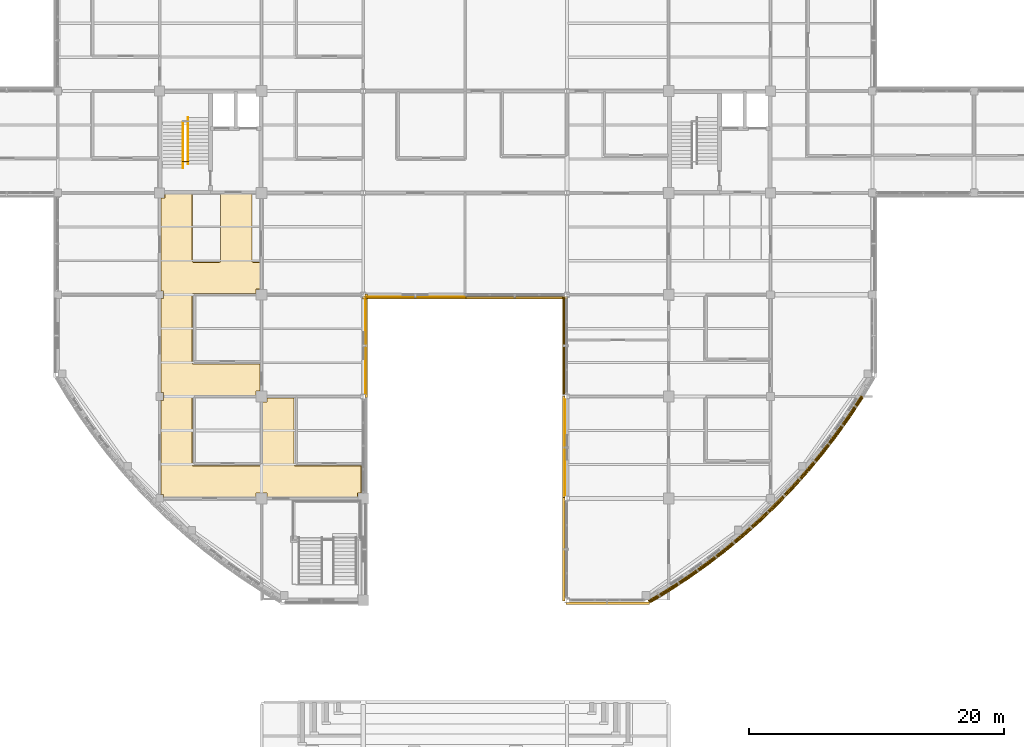
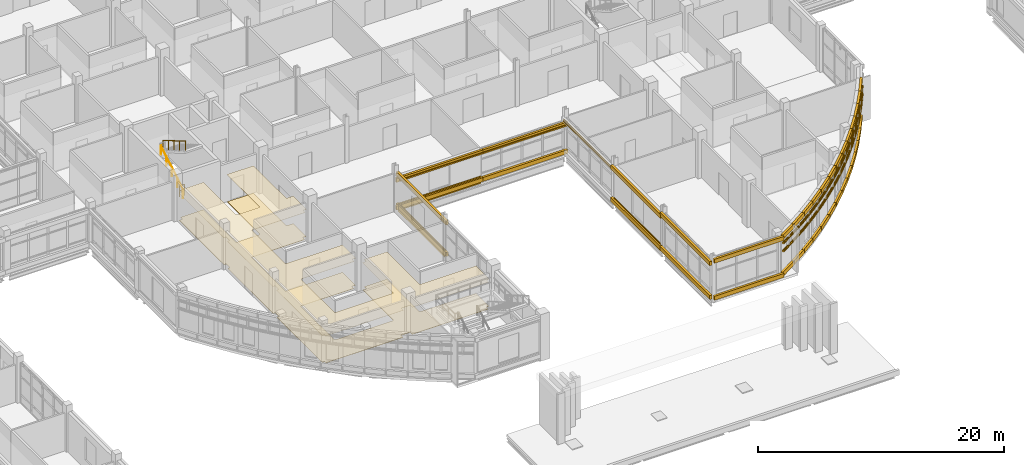
# One storey, part 112 of 121: 43 coverings, 30 shading devices, 3 railings.
"""IFC4 building model written with IfcOpenShell, lengths in metres."""

from ifc_helpers import new_model, si_unit, derived_unit, direction, frame, origin, origin_2d, place, context, subcontext, project, spatial, polyline, rectangle, circle, outline, extrude, material, layer, layer_set, material_profile, profile_set, type_object, element, save


model = new_model("IFC4")

# Units and contexts
model_context = context("Model", 3, precision=1e-05, world=origin(), true_north=direction((0.0, 1.0)))
body_context = subcontext(model_context, "Body", "Model", "MODEL_VIEW")
ifc_project = project(units=[si_unit("LENGTHUNIT", "METRE"), si_unit("AREAUNIT", "SQUARE_METRE"), si_unit("VOLUMEUNIT", "CUBIC_METRE"), si_unit("PLANEANGLEUNIT", "RADIAN"), si_unit("MASSUNIT", "GRAM", prefix="KILO"), derived_unit("THERMALTRANSMITTANCEUNIT", [(si_unit("MASSUNIT", "GRAM", prefix="KILO"), 1), (si_unit("TIMEUNIT", "SECOND"), -3), (si_unit("THERMODYNAMICTEMPERATUREUNIT", "KELVIN"), -1)])], contexts=[model_context])

# Site, building, storey
site_placement = place(None, origin())
site = spatial("IfcSite", under=ifc_project, at=site_placement, CompositionType="ELEMENT")
building_placement = place(site_placement, origin())
building = spatial("IfcBuilding", under=site, at=building_placement, Name="Veyamyaing Civic Hall", CompositionType="ELEMENT")
storey_placement = place(building_placement, frame((0.0, 0.0, 5.280029296875)))
storey = spatial("IfcBuildingStorey", under=building, at=storey_placement, Name="L01", CompositionType="ELEMENT", Elevation=5.280029296875)

# Coverings
ifc_material_1 = material(Name="Buff sandstone ashlar cladding", Category="masonry")
ifc_layer_1 = layer(ifc_material_1, 0.050048828125, Name="Buff sandstone ashlar cladding")
ifc_layer_set_1 = layer_set([ifc_layer_1], Name="Buff sandstone ashlar cladding")
covering_type_1 = type_object("IfcCoveringType", Name="CL-01", PredefinedType="CLADDING", material=ifc_layer_set_1)
covering_1_placement = place(storey_placement, frame((80.173583984375, 36.0, 0.044921875), z_axis=(0.0, 0.0, 1.0), x_axis=(0.0, 1.0, 0.0)))
element("IfcCovering", 1, at=covering_1_placement, inside=storey, type_object=covering_type_1, Name="Facade spandrel cladding CL-01 L01 E 10.5", PredefinedType="CLADDING", context=body_context, shape_type="SweptSolid", body=[
    extrude(rectangle(XDim=7.577880859375, YDim=0.050048828125, at=origin_2d()), origin(), (0.0, 0.0, 1.0), 0.75),
])
covering_2_placement = place(storey_placement, frame((84.0859375, 39.826416015625, 0.044921875), z_axis=(0.0, 0.0, 1.0), x_axis=(1.0, 0.0, 0.0)))
element("IfcCovering", 2, at=covering_2_placement, inside=storey, type_object=covering_type_1, Name="Facade spandrel cladding CL-01 L01 S 11.6", PredefinedType="CLADDING", context=body_context, shape_type="SweptSolid", body=[
    extrude(rectangle(XDim=7.748046875, YDim=0.050048828125, at=origin_2d()), origin(), (0.0, 0.0, 1.0), 0.75),
])
covering_3_placement = place(storey_placement, frame((95.826416015625, 28.0, 0.044921875), z_axis=(0.0, 0.0, 1.0), x_axis=(0.0, 1.0, 0.0)))
element("IfcCovering", 3, at=covering_3_placement, inside=storey, type_object=covering_type_1, Name="Facade spandrel cladding CL-01 L01 W 13.4", PredefinedType="CLADDING", context=body_context, shape_type="SweptSolid", body=[
    extrude(rectangle(XDim=7.577880859375, YDim=0.050048828125, at=origin_2d()), origin(), (0.0, 0.0, 1.0), 0.75),
])
ifc_material_2 = material(Name="White powder-coated aluminium 6063-T6", Category="aluminium")
ifc_layer_2 = layer(ifc_material_2, 0.2099609375, Name="White powder-coated aluminium 6063-T6")
ifc_layer_set_2 = layer_set([ifc_layer_2], Name="White powder-coated aluminium 6063-T6")
covering_type_2 = type_object("IfcCoveringType", Name="CL-03", PredefinedType="CLADDING", material=ifc_layer_set_2)
for number, where, z_axis, x_axis, name in (
    (4, (103.24072265625, 16.394775390625, 0.27001953125), (0.0, 0.0, 1.0), (0.856524411006, 0.516106513571, 0.0), "Continuous white corner ribbon CL-03 L01 SE.1.1"),
    (5, (103.24072265625, 16.394775390625, 3.945068359375), (0.0, 0.0, 1.0), (0.856524411006, 0.516106513571, 0.0), "Continuous white corner ribbon CL-03 L01 SE.1.2"),
    (6, (104.76318359375, 17.351318359375, 0.27001953125), (0.0, 0.0, 1.0), (0.836627843942, 0.547771714075, 0.0), "Continuous white corner ribbon CL-03 L01 SE.2.1"),
    (7, (104.76318359375, 17.351318359375, 3.945068359375), (0.0, 0.0, 1.0), (0.836627843942, 0.547771714075, 0.0), "Continuous white corner ribbon CL-03 L01 SE.2.2"),
    (8, (106.248291015625, 18.364013671875, 0.27001953125), (0.0, 0.0, 1.0), (0.815560964241, 0.578671161892, 0.0), "Continuous white corner ribbon CL-03 L01 SE.3.1"),
    (9, (106.248291015625, 18.364013671875, 3.945068359375), (0.0, 0.0, 1.0), (0.815560964241, 0.578671161892, 0.0), "Continuous white corner ribbon CL-03 L01 SE.3.2"),
    (10, (107.69482421875, 19.431396484375, 0.27001953125), (0.0, 0.0, 1.0), (0.793353292936, 0.608761490723, 0.0), "Continuous white corner ribbon CL-03 L01 SE.4.1"),
    (11, (107.69482421875, 19.431396484375, 3.945068359375), (0.0, 0.0, 1.0), (0.793353292936, 0.608761490723, 0.0), "Continuous white corner ribbon CL-03 L01 SE.4.2"),
    (12, (109.1005859375, 20.55224609375, 0.27001953125), (0.0, 0.0, 1.0), (0.770036026853, 0.638000405445, 0.0), "Continuous white corner ribbon CL-03 L01 SE.5.1"),
    (13, (109.1005859375, 20.55224609375, 3.945068359375), (0.0, 0.0, 1.0), (0.770036026853, 0.638000405445, 0.0), "Continuous white corner ribbon CL-03 L01 SE.5.2"),
    (14, (110.463134765625, 21.72509765625, 0.27001953125), (0.0, 0.0, 1.0), (0.745642208225, 0.666346529453, 0.0), "Continuous white corner ribbon CL-03 L01 SE.6.1"),
    (15, (110.463134765625, 21.72509765625, 3.945068359375), (0.0, 0.0, 1.0), (0.745642208225, 0.666346529453, 0.0), "Continuous white corner ribbon CL-03 L01 SE.6.2"),
    (16, (111.781005859375, 22.94775390625, 0.27001953125), (0.0, 0.0, 1.0), (0.720205321688, 0.693760978012, 0.0), "Continuous white corner ribbon CL-03 L01 SE.7.1"),
    (17, (111.781005859375, 22.94775390625, 3.945068359375), (0.0, 0.0, 1.0), (0.720205321688, 0.693760978012, 0.0), "Continuous white corner ribbon CL-03 L01 SE.7.2"),
    (18, (113.05224609375, 24.218994140625, 0.27001953125), (0.0, 0.0, 1.0), (0.693760978012, 0.720205321688, 0.0), "Continuous white corner ribbon CL-03 L01 SE.8.1"),
    (19, (113.05224609375, 24.218994140625, 3.945068359375), (0.0, 0.0, 1.0), (0.693760978012, 0.720205321688, 0.0), "Continuous white corner ribbon CL-03 L01 SE.8.2"),
    (20, (114.27490234375, 25.536865234375, 0.27001953125), (0.0, 0.0, 1.0), (0.666346529453, 0.745642208225, 0.0), "Continuous white corner ribbon CL-03 L01 SE.9.1"),
    (21, (114.27490234375, 25.536865234375, 3.945068359375), (0.0, 0.0, 1.0), (0.666346529453, 0.745642208225, 0.0), "Continuous white corner ribbon CL-03 L01 SE.9.2"),
    (22, (115.44775390625, 26.8994140625, 0.27001953125), (0.0, 0.0, 1.0), (0.638000405445, 0.770036026853, 0.0), "Continuous white corner ribbon CL-03 L01 SE.10.1"),
    (23, (115.44775390625, 26.8994140625, 3.945068359375), (0.0, 0.0, 1.0), (0.638000405445, 0.770036026853, 0.0), "Continuous white corner ribbon CL-03 L01 SE.10.2"),
    (24, (116.568603515625, 28.30517578125, 0.27001953125), (0.0, 0.0, 1.0), (0.608761490723, 0.793353292936, 0.0), "Continuous white corner ribbon CL-03 L01 SE.11.1"),
    (25, (116.568603515625, 28.30517578125, 3.945068359375), (0.0, 0.0, 1.0), (0.608761490723, 0.793353292936, 0.0), "Continuous white corner ribbon CL-03 L01 SE.11.2"),
    (26, (117.635986328125, 29.751708984375, 0.27001953125), (0.0, 0.0, 1.0), (0.578671161892, 0.815560964241, 0.0), "Continuous white corner ribbon CL-03 L01 SE.12.1"),
    (27, (117.635986328125, 29.751708984375, 3.945068359375), (0.0, 0.0, 1.0), (0.578671161892, 0.815560964241, 0.0), "Continuous white corner ribbon CL-03 L01 SE.12.2"),
    (28, (118.648681640625, 31.23681640625, 0.27001953125), (0.0, 0.0, 1.0), (0.547771714075, 0.836627843942, 0.0), "Continuous white corner ribbon CL-03 L01 SE.13.1"),
    (29, (118.648681640625, 31.23681640625, 3.945068359375), (0.0, 0.0, 1.0), (0.547771714075, 0.836627843942, 0.0), "Continuous white corner ribbon CL-03 L01 SE.13.2"),
):
    element("IfcCovering", number, at=place(storey_placement, frame(where, z_axis=z_axis, x_axis=x_axis)), inside=storey, type_object=covering_type_2, Name=name, PredefinedType="CLADDING", context=body_context, shape_type="SweptSolid", body=[
        extrude(rectangle(XDim=1.93505859375, YDim=0.2099609375, at=origin_2d()), origin(), (0.0, 0.0, 1.0), 0.419921875),
    ])
for number, where, z_axis, x_axis, name in (
    (30, (80.239990234375, 36.0, 3.407958984375), (0.0, 0.0, 1.0), (0.0, 1.0, 0.0), "Continuous white head fascia ribbon CL-03 L01 E 10.5"),
    (31, (80.239990234375, 36.0, 0.280029296875), (0.0, 0.0, 1.0), (0.0, 1.0, 0.0), "Continuous white sill fascia ribbon CL-03 L01 E 10.5"),
    (32, (84.0, 39.760009765625, 3.02392578125), (0.0, 0.0, 1.0), (1.0, 0.0, 0.0), "Continuous white head fascia ribbon CL-03 L01 S 11.6"),
    (33, (84.0, 39.760009765625, 0.280029296875), (0.0, 0.0, 1.0), (1.0, 0.0, 0.0), "Continuous white sill fascia ribbon CL-03 L01 S 11.6"),
    (34, (92.0, 39.760009765625, 3.02392578125), (0.0, 0.0, 1.0), (1.0, 0.0, 0.0), "Continuous white head fascia ribbon CL-03 L01 S 12.6"),
    (35, (92.0, 39.760009765625, 0.280029296875), (0.0, 0.0, 1.0), (1.0, 0.0, 0.0), "Continuous white sill fascia ribbon CL-03 L01 S 12.6"),
):
    element("IfcCovering", number, at=place(storey_placement, frame(where, z_axis=z_axis, x_axis=x_axis)), inside=storey, type_object=covering_type_2, Name=name, PredefinedType="CLADDING", context=body_context, shape_type="SweptSolid", body=[
        extrude(rectangle(XDim=8.1201171875, YDim=0.2099609375, at=origin_2d()), origin(), (0.0, 0.0, 1.0), 0.39990234375),
    ])
for number, where, z_axis, x_axis, name in (
    (36, (99.21533203125, 15.760009765625, 3.955078125), (0.0, 0.0, 1.0), (1.0, 0.0, 0.0), "Continuous white head fascia ribbon CL-03 L01 S 13.3"),
    (37, (99.21533203125, 15.760009765625, 0.280029296875), (0.0, 0.0, 1.0), (1.0, 0.0, 0.0), "Continuous white sill fascia ribbon CL-03 L01 S 13.3"),
):
    element("IfcCovering", number, at=place(storey_placement, frame(where, z_axis=z_axis, x_axis=x_axis)), inside=storey, type_object=covering_type_2, Name=name, PredefinedType="CLADDING", context=body_context, shape_type="SweptSolid", body=[
        extrude(rectangle(XDim=6.55078125, YDim=0.2099609375, at=origin_2d()), origin(), (0.0, 0.0, 1.0), 0.39990234375),
    ])
for number, where, z_axis, x_axis, name in (
    (38, (95.760009765625, 20.0, 3.64208984375), (0.0, 0.0, 1.0), (0.0, 1.0, 0.0), "Continuous white head fascia ribbon CL-03 L01 W 13.3"),
    (39, (95.760009765625, 20.0, 0.280029296875), (0.0, 0.0, 1.0), (0.0, 1.0, 0.0), "Continuous white sill fascia ribbon CL-03 L01 W 13.3"),
    (40, (95.760009765625, 28.0, 3.47802734375), (0.0, 0.0, 1.0), (0.0, 1.0, 0.0), "Continuous white head fascia ribbon CL-03 L01 W 13.4"),
    (41, (95.760009765625, 28.0, 0.280029296875), (0.0, 0.0, 1.0), (0.0, 1.0, 0.0), "Continuous white sill fascia ribbon CL-03 L01 W 13.4"),
):
    element("IfcCovering", number, at=place(storey_placement, frame(where, z_axis=z_axis, x_axis=x_axis)), inside=storey, type_object=covering_type_2, Name=name, PredefinedType="CLADDING", context=body_context, shape_type="SweptSolid", body=[
        extrude(rectangle(XDim=8.1201171875, YDim=0.2099609375, at=origin_2d()), origin(), (0.0, 0.0, 1.0), 0.39990234375),
    ])
ifc_material_3 = material(Name="Perforated acoustic gypsum ceiling board")
ifc_layer_3 = layer(ifc_material_3, 0.02490234375, Name="Perforated acoustic gypsum ceiling board")
ifc_layer_set_3 = layer_set([ifc_layer_3], Name="Perforated acoustic gypsum ceiling board")
covering_type_3 = type_object("IfcCoveringType", Name="CLG-01", PredefinedType="CEILING", material=ifc_layer_set_3)
covering_4_placement = place(storey_placement, frame((0.0, 0.0, 2.699951171875)))
element("IfcCovering", 42, at=covering_4_placement, inside=storey, type_object=covering_type_3, Name="Acoustic suspended ceiling CLG-01 L01-C04", PredefinedType="CEILING", context=body_context, shape_type="SweptSolid", body=[
    extrude(outline(polyline([(66.580810546875, 42.6220703125), (66.597412109375, 42.597412109375), (66.62158203125, 42.581298828125), (66.652587890625, 42.574951171875), (68.6982421875, 42.574951171875), (68.7216796875, 42.57861328125), (68.741455078125, 42.587890625), (68.7578125, 42.6025390625), (68.768798828125, 42.620849609375), (68.77490234375, 42.652587890625), (68.77490234375, 47.925048828125), (71.27490234375, 47.925048828125), (71.275390625, 42.643310546875), (71.28076171875, 42.6220703125), (71.29736328125, 42.597412109375), (71.322021484375, 42.580810546875), (71.34326171875, 42.575439453125), (71.925048828125, 42.574951171875), (71.925048828125, 40.409912109375), (71.590087890625, 40.409912109375), (71.590087890625, 40.074951171875), (66.652587890625, 40.074951171875), (66.62158203125, 40.06884765625), (66.597412109375, 40.052734375), (66.581298828125, 40.028564453125), (66.574951171875, 39.99755859375), (66.574951171875, 34.652587890625), (66.581298828125, 34.62158203125), (66.597412109375, 34.597412109375), (66.62158203125, 34.581298828125), (66.652587890625, 34.574951171875), (71.925048828125, 34.574951171875), (71.925048828125, 32.409912109375), (71.590087890625, 32.409912109375), (71.590087890625, 32.074951171875), (66.652587890625, 32.074951171875), (66.62158203125, 32.06884765625), (66.597412109375, 32.052734375), (66.581298828125, 32.028564453125), (66.574951171875, 31.99755859375), (66.574951171875, 26.65185546875), (66.57861328125, 26.62841796875), (66.588134765625, 26.60791015625), (66.5966796875, 26.597412109375), (66.615234375, 26.583740234375), (66.627685546875, 26.57861328125), (66.65185546875, 26.574951171875), (71.998291015625, 26.574951171875), (72.021728515625, 26.57861328125), (72.0419921875, 26.588134765625), (72.052490234375, 26.5966796875), (72.06640625, 26.615234375), (72.0712890625, 26.627685546875), (72.074951171875, 26.65185546875), (72.074951171875, 31.590087890625), (72.409912109375, 31.590087890625), (72.409912109375, 31.925048828125), (74.574951171875, 31.925048828125), (74.574951171875, 26.65185546875), (74.57861328125, 26.62841796875), (74.588134765625, 26.60791015625), (74.5966796875, 26.597412109375), (74.615234375, 26.583740234375), (74.627685546875, 26.57861328125), (74.65185546875, 26.574951171875), (79.844970703125, 26.574951171875), (79.844970703125, 24.409912109375), (79.590087890625, 24.409912109375), (79.590087890625, 24.074951171875), (72.409912109375, 24.074951171875), (72.409912109375, 24.409912109375), (71.590087890625, 24.409912109375), (71.590087890625, 24.074951171875), (64.284912109375, 24.074951171875), (64.284912109375, 24.284912109375), (64.074951171875, 24.284912109375), (64.074951171875, 31.715087890625), (64.284912109375, 31.715087890625), (64.284912109375, 32.284912109375), (64.074951171875, 32.284912109375), (64.074951171875, 39.715087890625), (64.284912109375, 39.715087890625), (64.284912109375, 40.284912109375), (64.074951171875, 40.284912109375), (64.074951171875, 47.614990234375), (64.385009765625, 47.614990234375), (64.385009765625, 47.925048828125), (66.574951171875, 47.925048828125), (66.575439453125, 42.643310546875), (66.580810546875, 42.6220703125)])), origin(), (0.0, 0.0, 1.0), 0.02490234375),
])
ifc_material_4 = material(Name="Polished Mandalay marble and terrazzo flooring", Category="masonry")
ifc_layer_4 = layer(ifc_material_4, 0.030029296875, Name="Polished Mandalay marble and terrazzo flooring")
ifc_layer_set_4 = layer_set([ifc_layer_4], Name="Polished Mandalay marble and terrazzo flooring")
covering_type_4 = type_object("IfcCoveringType", Name="FLR-01", PredefinedType="FLOORING", material=ifc_layer_set_4)
covering_5_placement = place(storey_placement, origin())
element("IfcCovering", 43, at=covering_5_placement, inside=storey, type_object=covering_type_4, Name="Stone and terrazzo flooring FLR-01 L01-C04", PredefinedType="FLOORING", context=body_context, shape_type="SweptSolid", body=[
    extrude(outline(polyline([(66.5576171875, 42.61181640625), (66.579345703125, 42.579345703125), (66.61181640625, 42.5576171875), (66.64990234375, 42.550048828125), (68.699951171875, 42.550048828125), (68.72900390625, 42.55419921875), (68.755615234375, 42.56689453125), (68.77734375, 42.586669921875), (68.79248046875, 42.61181640625), (68.800048828125, 42.64990234375), (68.800048828125, 47.89990234375), (71.25, 47.89990234375), (71.25048828125, 42.64013671875), (71.257568359375, 42.61181640625), (71.279296875, 42.579345703125), (71.311767578125, 42.5576171875), (71.340087890625, 42.550537109375), (71.89990234375, 42.550048828125), (71.89990234375, 40.43505859375), (71.56494140625, 40.43505859375), (71.56494140625, 40.10009765625), (66.64990234375, 40.10009765625), (66.61181640625, 40.09228515625), (66.579345703125, 40.07080078125), (66.5576171875, 40.038330078125), (66.550048828125, 40.0), (66.550048828125, 34.64990234375), (66.5576171875, 34.61181640625), (66.579345703125, 34.579345703125), (66.61181640625, 34.5576171875), (66.64990234375, 34.550048828125), (71.89990234375, 34.550048828125), (71.89990234375, 32.43505859375), (71.56494140625, 32.43505859375), (71.56494140625, 32.10009765625), (66.64990234375, 32.10009765625), (66.61181640625, 32.09228515625), (66.579345703125, 32.07080078125), (66.5576171875, 32.038330078125), (66.550048828125, 32.0), (66.550048828125, 26.64990234375), (66.55419921875, 26.62109375), (66.56689453125, 26.594482421875), (66.579345703125, 26.579345703125), (66.602783203125, 26.561767578125), (66.62109375, 26.55419921875), (66.64990234375, 26.550048828125), (72.0, 26.550048828125), (72.029052734375, 26.55419921875), (72.0556640625, 26.56689453125), (72.07080078125, 26.579345703125), (72.088134765625, 26.602783203125), (72.095703125, 26.62109375), (72.10009765625, 26.64990234375), (72.10009765625, 31.56494140625), (72.43505859375, 31.56494140625), (72.43505859375, 31.89990234375), (74.550048828125, 31.89990234375), (74.550048828125, 26.64990234375), (74.55419921875, 26.62109375), (74.56689453125, 26.594482421875), (74.579345703125, 26.579345703125), (74.602783203125, 26.561767578125), (74.62109375, 26.55419921875), (74.64990234375, 26.550048828125), (79.820068359375, 26.550048828125), (79.820068359375, 24.43505859375), (79.56494140625, 24.43505859375), (79.56494140625, 24.10009765625), (72.43505859375, 24.10009765625), (72.43505859375, 24.43505859375), (71.56494140625, 24.43505859375), (71.56494140625, 24.10009765625), (64.31005859375, 24.10009765625), (64.31005859375, 24.31005859375), (64.10009765625, 24.31005859375), (64.10009765625, 31.68994140625), (64.31005859375, 31.68994140625), (64.31005859375, 32.31005859375), (64.10009765625, 32.31005859375), (64.10009765625, 39.68994140625), (64.31005859375, 39.68994140625), (64.31005859375, 40.31005859375), (64.10009765625, 40.31005859375), (64.10009765625, 47.590087890625), (64.409912109375, 47.590087890625), (64.409912109375, 47.89990234375), (66.550048828125, 47.89990234375), (66.550537109375, 42.64013671875), (66.5576171875, 42.61181640625)])), origin(), (0.0, 0.0, 1.0), 0.030029296875),
])

# Railings
ifc_material_5 = material(Name="Steel S355J2", Category="steel")
railing_type_1 = type_object("IfcRailingType", Name="RL-01", PredefinedType="BALUSTRADE", material=ifc_material_5)
railing_1_placement = place(storey_placement, frame((65.800048828125, 50.47998046875, 0.0)))
element("IfcRailing", 44, at=railing_1_placement, inside=storey, type_object=railing_type_1, Name="Floor-landing slot guard RL-01 ST-05 L01", PredefinedType="BALUSTRADE", context=body_context, shape_type="SweptSolid", body=[
    extrude(circle(Radius=0.02392578125, at=origin_2d()), frame((0.0, 0.0, 1.076171875), z_axis=(1.0, 0.0, 0.0), x_axis=(0.0, 1.0, 0.0)), (0.0, 0.0, 1.0), 0.469970703125),
    extrude(circle(Radius=0.01416015625, at=origin_2d()), frame((0.0, 0.0, 0.572021484375), z_axis=(1.0, 0.0, 0.0), x_axis=(0.0, 1.0, 0.0)), (0.0, 0.0, 1.0), 0.469970703125),
    extrude(circle(Radius=0.02099609375, at=origin_2d()), origin(), (0.0, 0.0, 1.0), 1.052001953125),
    extrude(circle(Radius=0.02099609375, at=origin_2d()), frame((0.469970703125, 0.0, 0.0)), (0.0, 0.0, 1.0), 1.052001953125),
])
railing_type_2 = type_object("IfcRailingType", Name="RL-02", PredefinedType="HANDRAIL", material=ifc_material_5)
railing_2_placement = place(storey_placement, frame((65.840087890625, 49.949951171875, 0.1650390625)))
element("IfcRailing", 45, at=railing_2_placement, inside=storey, type_object=railing_type_2, Name="Stair pitch handrail RL-02 ST-05 L01.1", PredefinedType="HANDRAIL", context=body_context, shape_type="SweptSolid", body=[
    extrude(circle(Radius=0.02392578125, at=origin_2d()), frame((0.0, 0.0, 0.89599609375), z_axis=(0.0, 0.861544779993, 0.507681585313), x_axis=(-1.0, 0.0, 0.0)), (0.0, 0.0, 1.0), 4.22509765625),
    extrude(circle(Radius=0.02099609375, at=origin_2d()), origin(), (0.0, 0.0, 1.0), 0.871826171875),
    extrude(circle(Radius=0.02099609375, at=origin_2d()), frame((0.0, 0.91015625, 0.5361328125)), (0.0, 0.0, 1.0), 0.871826171875),
    extrude(circle(Radius=0.02099609375, at=origin_2d()), frame((0.0, 1.820068359375, 1.072509765625)), (0.0, 0.0, 1.0), 0.871826171875),
    extrude(circle(Radius=0.02099609375, at=origin_2d()), frame((0.0, 2.72998046875, 1.60888671875)), (0.0, 0.0, 1.0), 0.871826171875),
    extrude(circle(Radius=0.02099609375, at=origin_2d()), frame((0.0, 3.64013671875, 2.14501953125)), (0.0, 0.0, 1.0), 0.871826171875),
])
railing_3_placement = place(storey_placement, frame((66.219970703125, 53.909912109375, 2.474853515625)))
element("IfcRailing", 46, at=railing_3_placement, inside=storey, type_object=railing_type_2, Name="Stair pitch handrail RL-02 ST-05 L01.2", PredefinedType="HANDRAIL", context=body_context, shape_type="SweptSolid", body=[
    extrude(circle(Radius=0.02392578125, at=origin_2d()), frame((0.0, 0.0, 0.89599609375), z_axis=(0.0, -0.861529885852, 0.507706860091), x_axis=(1.0, 0.0, 0.0)), (0.0, 0.0, 1.0), 4.224853515625),
    extrude(circle(Radius=0.02099609375, at=origin_2d()), origin(), (0.0, 0.0, 1.0), 0.871826171875),
    extrude(circle(Radius=0.02099609375, at=origin_2d()), frame((0.0, -0.909912109375, 0.5361328125)), (0.0, 0.0, 1.0), 0.871826171875),
    extrude(circle(Radius=0.02099609375, at=origin_2d()), frame((0.0, -1.81982421875, 1.072509765625)), (0.0, 0.0, 1.0), 0.871826171875),
    extrude(circle(Radius=0.02099609375, at=origin_2d()), frame((0.0, -2.72998046875, 1.60888671875)), (0.0, 0.0, 1.0), 0.871826171875),
    extrude(circle(Radius=0.02099609375, at=origin_2d()), frame((0.0, -3.639892578125, 2.14501953125)), (0.0, 0.0, 1.0), 0.871826171875),
])

# Shading devices
ifc_material_profile = material_profile(ifc_material_2, circle(Radius=0.110107421875, at=origin_2d()), Name="SHADE-TUBE-220")
ifc_profile_set = profile_set([ifc_material_profile], Name="White powder-coated aluminium 6063-T6")
shading_device_type = type_object("IfcShadingDeviceType", Name="SH-01", PredefinedType="USERDEFINED", material=ifc_profile_set)
for number, where, z_axis, x_axis, name in (
    (47, (102.513427734375, 15.863037109375, 2.75), (0.856543302071, 0.51607516088, 0.0), (-0.51607516088, 0.856543302071, 0.0), "White corner sunshade ribbon SH-01 L01 SE.1.1"),
    (48, (102.513427734375, 15.863037109375, 3.550048828125), (0.856543302071, 0.51607516088, 0.0), (-0.51607516088, 0.856543302071, 0.0), "White corner sunshade ribbon SH-01 L01 SE.1.2"),
):
    element("IfcShadingDevice", number, at=place(storey_placement, frame(where, z_axis=z_axis, x_axis=x_axis)), inside=storey, type_object=shading_device_type, Name=name, ObjectType="SUNSHADE", PredefinedType="USERDEFINED", context=body_context, shape_type="SweptSolid", body=[
        extrude(circle(Radius=0.110107421875, at=origin_2d()), origin(), (0.0, 0.0, 1.0), 1.794921875),
    ])
for number, where, z_axis, x_axis, name in (
    (49, (104.055908203125, 16.79248046875, 2.75), (0.836624464161, 0.547776876079, 0.0), (-0.547776876079, 0.836624464161, 0.0), "White corner sunshade ribbon SH-01 L01 SE.2.1"),
    (50, (104.055908203125, 16.79248046875, 3.550048828125), (0.836624464161, 0.547776876079, 0.0), (-0.547776876079, 0.836624464161, 0.0), "White corner sunshade ribbon SH-01 L01 SE.2.2"),
):
    element("IfcShadingDevice", number, at=place(storey_placement, frame(where, z_axis=z_axis, x_axis=x_axis)), inside=storey, type_object=shading_device_type, Name=name, ObjectType="SUNSHADE", PredefinedType="USERDEFINED", context=body_context, shape_type="SweptSolid", body=[
        extrude(circle(Radius=0.110107421875, at=origin_2d()), origin(), (0.0, 0.0, 1.0), 1.795166015625),
    ])
for number, where, z_axis, x_axis, name in (
    (51, (105.562744140625, 17.779296875, 2.75), (0.815521639764, 0.578726580586, 0.0), (-0.578726580586, 0.815521639764, 0.0), "White corner sunshade ribbon SH-01 L01 SE.3.1"),
    (52, (105.562744140625, 17.779296875, 3.550048828125), (0.815521639764, 0.578726580586, 0.0), (-0.578726580586, 0.815521639764, 0.0), "White corner sunshade ribbon SH-01 L01 SE.3.2"),
):
    element("IfcShadingDevice", number, at=place(storey_placement, frame(where, z_axis=z_axis, x_axis=x_axis)), inside=storey, type_object=shading_device_type, Name=name, ObjectType="SUNSHADE", PredefinedType="USERDEFINED", context=body_context, shape_type="SweptSolid", body=[
        extrude(circle(Radius=0.110107421875, at=origin_2d()), origin(), (0.0, 0.0, 1.0), 1.794921875),
    ])
for number, where, z_axis, x_axis, name in (
    (53, (107.031494140625, 18.821533203125, 2.75), (0.79339180423, 0.608711298549, 0.0), (-0.608711298549, 0.79339180423, 0.0), "White corner sunshade ribbon SH-01 L01 SE.4.1"),
    (54, (107.031494140625, 18.821533203125, 3.550048828125), (0.79339180423, 0.608711298549, 0.0), (-0.608711298549, 0.79339180423, 0.0), "White corner sunshade ribbon SH-01 L01 SE.4.2"),
    (55, (108.46044921875, 19.918212890625, 2.75), (0.770046377824, 0.637987912111, 0.0), (-0.637987912111, 0.770046377824, 0.0), "White corner sunshade ribbon SH-01 L01 SE.5.1"),
    (56, (108.46044921875, 19.918212890625, 3.550048828125), (0.770046377824, 0.637987912111, 0.0), (-0.637987912111, 0.770046377824, 0.0), "White corner sunshade ribbon SH-01 L01 SE.5.2"),
    (57, (109.84716796875, 21.0673828125, 2.75), (0.745703543965, 0.666277888361, 0.0), (-0.666277888361, 0.745703543965, 0.0), "White corner sunshade ribbon SH-01 L01 SE.6.1"),
    (58, (109.84716796875, 21.0673828125, 3.550048828125), (0.745703543965, 0.666277888361, 0.0), (-0.666277888361, 0.745703543965, 0.0), "White corner sunshade ribbon SH-01 L01 SE.6.2"),
):
    element("IfcShadingDevice", number, at=place(storey_placement, frame(where, z_axis=z_axis, x_axis=x_axis)), inside=storey, type_object=shading_device_type, Name=name, ObjectType="SUNSHADE", PredefinedType="USERDEFINED", context=body_context, shape_type="SweptSolid", body=[
        extrude(circle(Radius=0.110107421875, at=origin_2d()), origin(), (0.0, 0.0, 1.0), 1.795166015625),
    ])
for number, where, z_axis, x_axis, name in (
    (59, (111.190185546875, 22.267578125, 2.75), (0.720176733402, 0.693790654785, 0.0), (-0.693790654785, 0.720176733402, 0.0), "White corner sunshade ribbon SH-01 L01 SE.7.1"),
    (60, (111.190185546875, 22.267578125, 3.550048828125), (0.720176733402, 0.693790654785, 0.0), (-0.693790654785, 0.720176733402, 0.0), "White corner sunshade ribbon SH-01 L01 SE.7.2"),
    (61, (112.487060546875, 23.51708984375, 2.75), (0.693790654785, 0.720176733402, 0.0), (-0.720176733402, 0.693790654785, 0.0), "White corner sunshade ribbon SH-01 L01 SE.8.1"),
    (62, (112.487060546875, 23.51708984375, 3.550048828125), (0.693790654785, 0.720176733402, 0.0), (-0.720176733402, 0.693790654785, 0.0), "White corner sunshade ribbon SH-01 L01 SE.8.2"),
):
    element("IfcShadingDevice", number, at=place(storey_placement, frame(where, z_axis=z_axis, x_axis=x_axis)), inside=storey, type_object=shading_device_type, Name=name, ObjectType="SUNSHADE", PredefinedType="USERDEFINED", context=body_context, shape_type="SweptSolid", body=[
        extrude(circle(Radius=0.110107421875, at=origin_2d()), origin(), (0.0, 0.0, 1.0), 1.794921875),
    ])
for number, where, z_axis, x_axis, name in (
    (63, (113.736572265625, 24.814208984375, 2.75), (0.666277888361, 0.745703543965, 0.0), (-0.745703543965, 0.666277888361, 0.0), "White corner sunshade ribbon SH-01 L01 SE.9.1"),
    (64, (113.736572265625, 24.814208984375, 3.550048828125), (0.666277888361, 0.745703543965, 0.0), (-0.745703543965, 0.666277888361, 0.0), "White corner sunshade ribbon SH-01 L01 SE.9.2"),
    (65, (114.9365234375, 26.1572265625, 2.75), (0.637987912111, 0.770046377824, 0.0), (-0.770046377824, 0.637987912111, 0.0), "White corner sunshade ribbon SH-01 L01 SE.10.1"),
    (66, (114.9365234375, 26.1572265625, 3.550048828125), (0.637987912111, 0.770046377824, 0.0), (-0.770046377824, 0.637987912111, 0.0), "White corner sunshade ribbon SH-01 L01 SE.10.2"),
    (67, (116.085693359375, 27.544189453125, 2.75), (0.608711298549, 0.79339180423, 0.0), (-0.79339180423, 0.608711298549, 0.0), "White corner sunshade ribbon SH-01 L01 SE.11.1"),
    (68, (116.085693359375, 27.544189453125, 3.550048828125), (0.608711298549, 0.79339180423, 0.0), (-0.79339180423, 0.608711298549, 0.0), "White corner sunshade ribbon SH-01 L01 SE.11.2"),
):
    element("IfcShadingDevice", number, at=place(storey_placement, frame(where, z_axis=z_axis, x_axis=x_axis)), inside=storey, type_object=shading_device_type, Name=name, ObjectType="SUNSHADE", PredefinedType="USERDEFINED", context=body_context, shape_type="SweptSolid", body=[
        extrude(circle(Radius=0.110107421875, at=origin_2d()), origin(), (0.0, 0.0, 1.0), 1.795166015625),
    ])
for number, where, z_axis, x_axis, name in (
    (69, (117.181884765625, 28.973388671875, 2.75), (0.578726580586, 0.815521639764, 0.0), (-0.815521639764, 0.578726580586, 0.0), "White corner sunshade ribbon SH-01 L01 SE.12.1"),
    (70, (117.181884765625, 28.973388671875, 3.550048828125), (0.578726580586, 0.815521639764, 0.0), (-0.815521639764, 0.578726580586, 0.0), "White corner sunshade ribbon SH-01 L01 SE.12.2"),
):
    element("IfcShadingDevice", number, at=place(storey_placement, frame(where, z_axis=z_axis, x_axis=x_axis)), inside=storey, type_object=shading_device_type, Name=name, ObjectType="SUNSHADE", PredefinedType="USERDEFINED", context=body_context, shape_type="SweptSolid", body=[
        extrude(circle(Radius=0.110107421875, at=origin_2d()), origin(), (0.0, 0.0, 1.0), 1.794921875),
    ])
for number, where, z_axis, x_axis, name in (
    (71, (118.22412109375, 30.442138671875, 2.75), (0.547776876079, 0.836624464161, 0.0), (-0.836624464161, 0.547776876079, 0.0), "White corner sunshade ribbon SH-01 L01 SE.13.1"),
    (72, (118.22412109375, 30.442138671875, 3.550048828125), (0.547776876079, 0.836624464161, 0.0), (-0.836624464161, 0.547776876079, 0.0), "White corner sunshade ribbon SH-01 L01 SE.13.2"),
):
    element("IfcShadingDevice", number, at=place(storey_placement, frame(where, z_axis=z_axis, x_axis=x_axis)), inside=storey, type_object=shading_device_type, Name=name, ObjectType="SUNSHADE", PredefinedType="USERDEFINED", context=body_context, shape_type="SweptSolid", body=[
        extrude(circle(Radius=0.110107421875, at=origin_2d()), origin(), (0.0, 0.0, 1.0), 1.795166015625),
    ])
shading_device_1_placement = place(storey_placement, frame((80.239990234375, 32.1708984375, 3.56787109375), z_axis=(0.0, 1.0, 0.0), x_axis=(-1.0, 0.0, 0.0)))
element("IfcShadingDevice", 73, at=shading_device_1_placement, inside=storey, type_object=shading_device_type, Name="Horizontal white sunshade ribbon SH-01 L01 E 10.5", ObjectType="SUNSHADE", PredefinedType="USERDEFINED", context=body_context, shape_type="SweptSolid", body=[
    extrude(circle(Radius=0.110107421875, at=origin_2d()), origin(), (0.0, 0.0, 1.0), 7.658203125),
])
for number, where, z_axis, x_axis, name in (
    (74, (80.172119140625, 39.760009765625, 3.18408203125), (1.0, 0.0, 0.0), (0.0, 1.0, 0.0), "Horizontal white sunshade ribbon SH-01 L01 S 11.6"),
    (75, (88.0, 39.760009765625, 3.18408203125), (1.0, 0.0, 0.0), (0.0, 1.0, 0.0), "Horizontal white sunshade ribbon SH-01 L01 S 12.6"),
):
    element("IfcShadingDevice", number, at=place(storey_placement, frame(where, z_axis=z_axis, x_axis=x_axis)), inside=storey, type_object=shading_device_type, Name=name, ObjectType="SUNSHADE", PredefinedType="USERDEFINED", context=body_context, shape_type="SweptSolid", body=[
        extrude(circle(Radius=0.110107421875, at=origin_2d()), origin(), (0.0, 0.0, 1.0), 7.827880859375),
    ])
shading_device_2_placement = place(storey_placement, frame((95.760009765625, 32.1708984375, 3.573974609375), z_axis=(0.0, 1.0, 0.0), x_axis=(-1.0, 0.0, 0.0)))
element("IfcShadingDevice", 76, at=shading_device_2_placement, inside=storey, type_object=shading_device_type, Name="Horizontal white sunshade ribbon SH-01 L01 W 13.5", ObjectType="SUNSHADE", PredefinedType="USERDEFINED", context=body_context, shape_type="SweptSolid", body=[
    extrude(circle(Radius=0.110107421875, at=origin_2d()), origin(), (0.0, 0.0, 1.0), 7.658203125),
])

save(model, "model.ifc")
